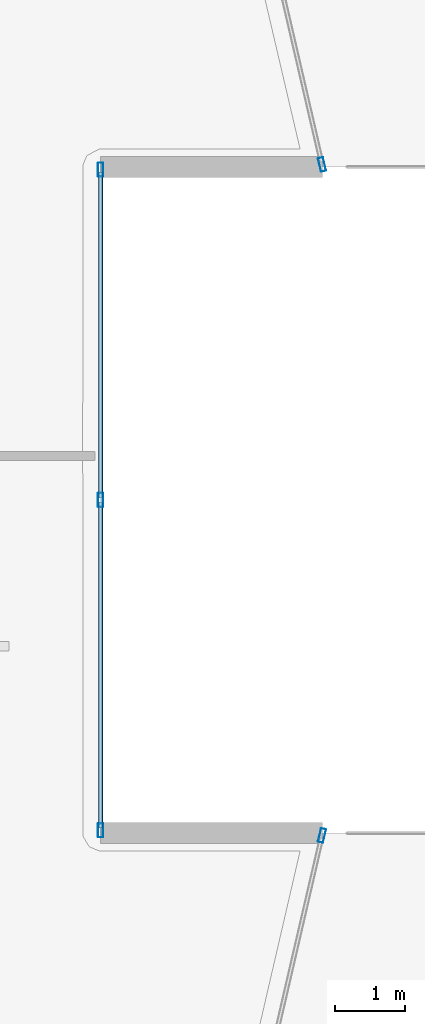
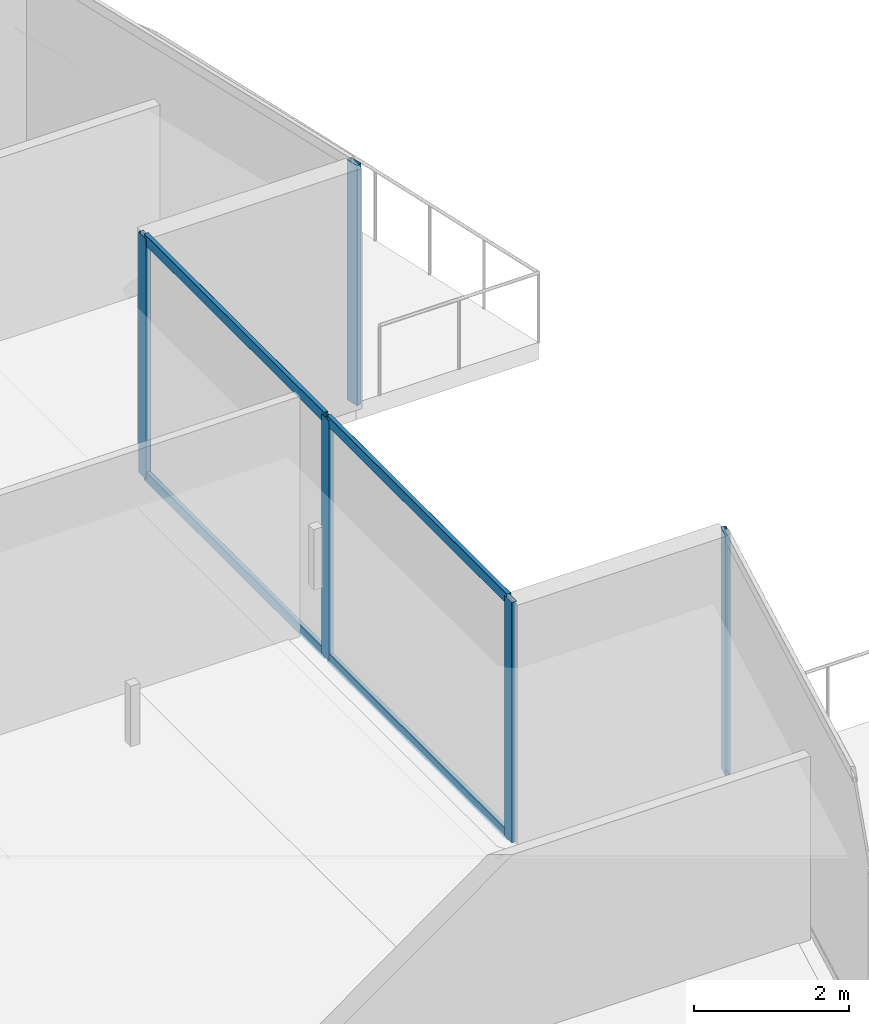
# One storey, part 13 of 38: 9 members, 3 elements without a shape of their own.
"""IFC4 building model written with IfcOpenShell, lengths in metres."""

import ifcopenshell
import ifcopenshell.guid

model = None  # the IFC model being written
_history = None  # IfcOwnerHistory: only IFC2X3 demands one
_inside = {}  # id of a spatial element -> (the spatial element, [elements in it])
_under = {}  # id of a project, library or spatial element -> (it, [spatial elements below it])
_declared = {}  # id of a project -> (the project, [libraries it declares])
_typed = {}  # id of a type object -> (the type object, [elements of that type])
_made_of = {}  # id of a material, layer set ... -> (it, [elements and type objects made of it])


def new_model(schema):
    """Start an empty IFC model of exactly this schema.

    Asked for "IFC4X3", IfcOpenShell would pick the latest addendum, in which some entities
    have other attributes; the version numbers below select the first issue.
    IFC2X3 requires an IfcOwnerHistory on every rooted entity: one is made here for all.
    """
    global model, _history
    if schema == "IFC4X3":
        model = ifcopenshell.file(schema_version=(4, 3, 0, 0))
    else:
        model = ifcopenshell.file(schema=schema)
    _inside.clear()
    _under.clear()
    _declared.clear()
    _typed.clear()
    _made_of.clear()
    _history = None
    if model.schema == "IFC2X3":
        org = make("IfcOrganization", Name="unknown")
        user = make(
            "IfcPersonAndOrganization",
            ThePerson=make("IfcPerson", FamilyName="unknown"),
            TheOrganization=org,
        )
        app = make(
            "IfcApplication",
            ApplicationDeveloper=org,
            Version="unknown",
            ApplicationFullName="unknown",
            ApplicationIdentifier="unknown",
        )
        _history = make(
            "IfcOwnerHistory",
            OwningUser=user,
            OwningApplication=app,
            ChangeAction="ADDED",
            CreationDate=0,
        )
    return model


def make(cls, **values):
    """One entity of the class cls with the attributes given. An attribute that is None is left unset."""
    return model.create_entity(
        cls, **{name: value for name, value in values.items() if value is not None}
    )


def rooted(cls, **values):
    """An entity with a GlobalId (a new one), such as an element, a storey or a relation."""
    return make(cls, GlobalId=ifcopenshell.guid.new(), OwnerHistory=_history, **values)


def si_unit(unit_type, name, prefix=None):
    """IfcSIUnit, for example si_unit("LENGTHUNIT", "METRE", prefix="MILLI")."""
    return make("IfcSIUnit", UnitType=unit_type, Prefix=prefix, Name=name)


def assignment(units):
    """IfcUnitAssignment: the units of a project."""
    return None if units is None else make("IfcUnitAssignment", Units=units)


def point(xyz):
    """IfcCartesianPoint."""
    return None if xyz is None else make("IfcCartesianPoint", Coordinates=xyz)


def direction(xyz):
    """IfcDirection."""
    return None if xyz is None else make("IfcDirection", DirectionRatios=xyz)


def frame(location, z_axis=None, x_axis=None):
    """IfcAxis2Placement3D, a coordinate frame: its origin and axes. An axis left out is left unset."""
    return make(
        "IfcAxis2Placement3D",
        Location=point(location),
        Axis=direction(z_axis),
        RefDirection=direction(x_axis),
    )


def frame_2d(location, x_axis=None):
    """IfcAxis2Placement2D, a coordinate frame in the plane: its origin and x axis."""
    return make(
        "IfcAxis2Placement2D", Location=point(location), RefDirection=direction(x_axis)
    )


def origin():
    """The frame at (0, 0, 0) with its axes left unset."""
    return frame((0.0, 0.0, 0.0))


def origin_2d():
    """The frame at (0, 0) in the plane with its x axis left unset."""
    return frame_2d((0.0, 0.0))


def place(relative_to, where):
    """IfcLocalPlacement: puts the frame where relative to a parent placement (None: the world)."""
    return make(
        "IfcLocalPlacement", PlacementRelTo=relative_to, RelativePlacement=where
    )


def context(
    kind, dimensions, precision=None, world=None, true_north=None, identifier=None
):
    """IfcGeometricRepresentationContext, for example the 3D "Model" context."""
    return make(
        "IfcGeometricRepresentationContext",
        ContextIdentifier=identifier,
        ContextType=kind,
        CoordinateSpaceDimension=dimensions,
        Precision=precision,
        WorldCoordinateSystem=world,
        TrueNorth=true_north,
    )


def subcontext(parent, identifier, kind, view, scale=None):
    """IfcGeometricRepresentationSubContext, for example "Body" below "Model"."""
    return make(
        "IfcGeometricRepresentationSubContext",
        ContextIdentifier=identifier,
        ContextType=kind,
        ParentContext=parent,
        TargetScale=scale,
        TargetView=view,
    )


def project(units=None, contexts=None):
    """IfcProject with its units and contexts."""
    return rooted(
        "IfcProject",
        Name="project",
        RepresentationContexts=contexts,
        UnitsInContext=assignment(units),
    )


def spatial(cls, under=None, at=None, **own):
    """A site, building, storey or space (cls), placed at a placement, below another one or the project."""
    s = rooted(cls, ObjectPlacement=at, **own)
    if under is not None:
        _under.setdefault(under.id(), (under, []))[1].append(s)
    return s


def profile(cls, at=None, kind="AREA", **sizes):
    """A parametric profile (cls). Its sizes go by their IFC names, for example OverallWidth=200.0."""
    return make(cls, ProfileType=kind, Position=at, **sizes)


def hollow_rectangle(**sizes):
    """IfcRectangleHollowProfileDef."""
    return profile("IfcRectangleHollowProfileDef", **sizes)


def extrude(swept, where, along, depth):
    """IfcExtrudedAreaSolid: the profile swept, set in the frame where, extruded along a direction by depth."""
    return make(
        "IfcExtrudedAreaSolid",
        SweptArea=swept,
        Position=where,
        ExtrudedDirection=direction(along),
        Depth=depth,
    )


def shape(context_of_items, identifier, shape_type, items):
    """IfcShapeRepresentation: the items that make up one representation, for example the "Body"."""
    return make(
        "IfcShapeRepresentation",
        ContextOfItems=context_of_items,
        RepresentationIdentifier=identifier,
        RepresentationType=shape_type,
        Items=items,
    )


def material(Name=None, Category=None):
    """IfcMaterial."""
    return make("IfcMaterial", Name=Name, Category=Category)


def layer(
    of_material, thickness, ventilated=None, Name=None, Category=None, Priority=None
):
    """IfcMaterialLayer: one layer of a wall or slab, of a material (None: an air gap)."""
    return make(
        "IfcMaterialLayer",
        Material=of_material,
        LayerThickness=thickness,
        IsVentilated=ventilated,
        Name=Name,
        Category=Category,
        Priority=Priority,
    )


def layer_set(layers, Name=None):
    """IfcMaterialLayerSet."""
    return make("IfcMaterialLayerSet", MaterialLayers=layers, LayerSetName=Name)


def material_profile(
    of_material, cross_section, Name=None, Category=None, Priority=None
):
    """IfcMaterialProfile: a cross section and its material."""
    return make(
        "IfcMaterialProfile",
        Name=Name,
        Material=of_material,
        Profile=cross_section,
        Priority=Priority,
        Category=Category,
    )


def profile_set(profiles, Name=None, composite=None):
    """IfcMaterialProfileSet."""
    return make(
        "IfcMaterialProfileSet",
        Name=Name,
        MaterialProfiles=profiles,
        CompositeProfile=composite,
    )


def made_of(thing, what):
    """Note that an element or type object is made of a material, layer set ...; save() writes the relation."""
    if what is not None:
        _made_of.setdefault(what.id(), (what, []))[1].append(thing)
    return thing


def type_object(cls, material=None, **own):
    """A type object (cls), such as IfcWallType, which elements share."""
    return made_of(rooted(cls, **own), material)


def element(
    cls,
    number,
    at=None,
    inside=None,
    cuts=None,
    type_object=None,
    material=None,
    context=None,
    identifier="Body",
    shape_type=None,
    held_by="IfcProductDefinitionShape",
    body=None,
    shapes=None,
    **own,
):
    """One element of the class cls, such as IfcWall. Its Tag is "e" and its number.

    at: its placement. inside: the storey or other place that contains it. cuts: it is an
    opening in that element (IfcRelVoidsElement). A single representation is given by context,
    identifier, shape_type and body (its items); several are given by shapes. held_by: the class
    of the entity that holds the representations. save() writes the other relations.
    """
    e = rooted(cls, Tag="e%d" % number, ObjectPlacement=at, **own)
    if body is not None:
        shapes = [shape(context, identifier, shape_type, body)]
    if shapes is not None:
        e.Representation = make(held_by, Representations=shapes)
    if inside is not None:
        _inside.setdefault(inside.id(), (inside, []))[1].append(e)
    if cuts is not None:
        rooted(
            "IfcRelVoidsElement", RelatingBuildingElement=cuts, RelatedOpeningElement=e
        )
    if type_object is not None:
        _typed.setdefault(type_object.id(), (type_object, []))[1].append(e)
    return made_of(e, material)


def aggregate(whole, parts):
    """IfcRelAggregates: a whole, such as a stair, and the parts it consists of."""
    return rooted("IfcRelAggregates", RelatingObject=whole, RelatedObjects=parts)


def save(model, path):
    """Write the relations noted so far, then the file.

    IfcRelAggregates (storeys below a building ...), IfcRelContainedInSpatialStructure (elements
    in a storey), IfcRelDefinesByType, IfcRelAssociatesMaterial and IfcRelDeclares: one each for
    every whole, place, type object, material and project.
    """
    for whole, parts in _under.values():
        aggregate(whole, parts)
    for where, things in _inside.values():
        rooted(
            "IfcRelContainedInSpatialStructure",
            RelatedElements=things,
            RelatingStructure=where,
        )
    for kind, things in _typed.values():
        rooted("IfcRelDefinesByType", RelatedObjects=things, RelatingType=kind)
    for what, things in _made_of.values():
        rooted("IfcRelAssociatesMaterial", RelatedObjects=things, RelatingMaterial=what)
    for by, libraries in _declared.values():
        rooted("IfcRelDeclares", RelatingContext=by, RelatedDefinitions=libraries)
    model.write(path)


model = new_model("IFC4")

# Units and contexts
model_context = context("Model", 3, precision=1e-05, world=origin(), true_north=direction((0.0, 1.0)))
body_context = subcontext(model_context, "Body", "Model", "MODEL_VIEW")
ifc_project = project(units=[si_unit("LENGTHUNIT", "METRE"), si_unit("AREAUNIT", "SQUARE_METRE"), si_unit("VOLUMEUNIT", "CUBIC_METRE"), si_unit("PLANEANGLEUNIT", "RADIAN"), si_unit("MASSUNIT", "GRAM", prefix="KILO")], contexts=[model_context])

# Site, building, storey
site_placement = place(None, origin())
site = spatial("IfcSite", under=ifc_project, at=site_placement, CompositionType="ELEMENT")
building_placement = place(site_placement, origin())
building = spatial("IfcBuilding", under=site, at=building_placement, Name="Qorvath Tower", CompositionType="ELEMENT")
storey_placement = place(building_placement, frame((0.0, 0.0, 158.39990234375)))
storey = spatial("IfcBuildingStorey", under=building, at=storey_placement, Name="L36", CompositionType="ELEMENT", Elevation=158.39990234375)

# Curtain wall, member
ifc_material_1 = material(Name="Anodised aluminium and triple low-E glass", Category="aluminium")
ifc_layer = layer(ifc_material_1, 0.179931640625)
ifc_layer_set = layer_set([ifc_layer], Name="CW-SYS-5")
curtain_wall_type = type_object("IfcCurtainWallType", Name="CW-SYS-5", PredefinedType="NOTDEFINED", material=ifc_layer_set)
curtain_wall_1_placement = place(storey_placement, origin())
curtain_wall_1 = element("IfcCurtainWall", 1, at=curtain_wall_1_placement, inside=storey, type_object=curtain_wall_type, Name="Curtain Wall CW-5 CW-T-L36-7.1", PredefinedType="NOTDEFINED")
ifc_material_2 = material(Name="Anodised aluminium 6063-T6", Category="aluminium")
ifc_material_profile_1 = material_profile(ifc_material_2, hollow_rectangle(XDim=0.074951171875, YDim=0.199951171875, WallThickness=0.00390625, InnerFilletRadius=0.00390625, OuterFilletRadius=0.008056640625, at=origin_2d()), Name="CWM 200x75")
ifc_profile_set_1 = profile_set([ifc_material_profile_1], Name="Anodised aluminium 6063-T6")
member_type_1 = type_object("IfcMemberType", Name="CWM-200", PredefinedType="MULLION", material=ifc_profile_set_1)
member_1_placement = place(storey_placement, frame((3.237548828125, -4.78857421875, 0.0), z_axis=(0.0, 0.0, 1.0), x_axis=(-0.974183272316, 0.225758614319, 0.0)))
member_1 = element("IfcMember", 2, at=member_1_placement, type_object=member_type_1, Name="CW-5 mullion 2", PredefinedType="MULLION", context=body_context, shape_type="SweptSolid", body=[
    extrude(hollow_rectangle(XDim=0.074951171875, YDim=0.199951171875, WallThickness=0.00390625, InnerFilletRadius=0.00390625, OuterFilletRadius=0.008056640625, at=origin_2d()), origin(), (0.0, 0.0, 1.0), 3.780029296875),
])
aggregate(curtain_wall_1, [member_1])

# Curtain wall, members
curtain_wall_2_placement = place(storey_placement, origin())
curtain_wall_2 = element("IfcCurtainWall", 3, at=curtain_wall_2_placement, inside=storey, type_object=curtain_wall_type, Name="Curtain Wall CW-5 CW-T-L36-9.1", PredefinedType="NOTDEFINED")
member_2_placement = place(storey_placement, frame((0.077880859375, -4.714599609375, 0.0), z_axis=(0.0, 0.0, 1.0), x_axis=(-1.0, 0.0, 0.0)))
member_2 = element("IfcMember", 4, at=member_2_placement, type_object=member_type_1, Name="CW-5 mullion 1", PredefinedType="MULLION", context=body_context, shape_type="SweptSolid", body=[
    extrude(hollow_rectangle(XDim=0.074951171875, YDim=0.199951171875, WallThickness=0.00390625, InnerFilletRadius=0.00390625, OuterFilletRadius=0.008056640625, at=origin_2d()), origin(), (0.0, 0.0, 1.0), 3.780029296875),
])
member_3_placement = place(storey_placement, frame((0.077880859375, 0.0, 0.0), z_axis=(0.0, 0.0, 1.0), x_axis=(-1.0, 0.0, 0.0)))
member_3 = element("IfcMember", 5, at=member_3_placement, type_object=member_type_1, Name="CW-5 mullion 2", PredefinedType="MULLION", context=body_context, shape_type="SweptSolid", body=[
    extrude(hollow_rectangle(XDim=0.074951171875, YDim=0.199951171875, WallThickness=0.00390625, InnerFilletRadius=0.00390625, OuterFilletRadius=0.008056640625, at=origin_2d()), origin(), (0.0, 0.0, 1.0), 3.780029296875),
])
member_4_placement = place(storey_placement, frame((0.077880859375, 4.714599609375, 0.0), z_axis=(0.0, 0.0, 1.0), x_axis=(-1.0, 0.0, 0.0)))
member_4 = element("IfcMember", 6, at=member_4_placement, type_object=member_type_1, Name="CW-5 mullion 3", PredefinedType="MULLION", context=body_context, shape_type="SweptSolid", body=[
    extrude(hollow_rectangle(XDim=0.074951171875, YDim=0.199951171875, WallThickness=0.00390625, InnerFilletRadius=0.00390625, OuterFilletRadius=0.008056640625, at=origin_2d()), origin(), (0.0, 0.0, 1.0), 3.780029296875),
])

# Curtain wall, member
curtain_wall_3_placement = place(storey_placement, origin())
curtain_wall_3 = element("IfcCurtainWall", 7, at=curtain_wall_3_placement, inside=storey, type_object=curtain_wall_type, Name="Curtain Wall CW-5 CW-T-L36-11.1", PredefinedType="NOTDEFINED")
member_5_placement = place(storey_placement, frame((3.237548828125, 4.78857421875, 0.0), z_axis=(0.0, 0.0, 1.0), x_axis=(-0.974183272316, -0.225758614319, 0.0)))
member_5 = element("IfcMember", 8, at=member_5_placement, type_object=member_type_1, Name="CW-5 mullion 1", PredefinedType="MULLION", context=body_context, shape_type="SweptSolid", body=[
    extrude(hollow_rectangle(XDim=0.074951171875, YDim=0.199951171875, WallThickness=0.00390625, InnerFilletRadius=0.00390625, OuterFilletRadius=0.008056640625, at=origin_2d()), origin(), (0.0, 0.0, 1.0), 3.780029296875),
])
aggregate(curtain_wall_3, [member_5])

# Member
ifc_material_3 = material(Name="Anodised aluminium 6063-T6", Category="aluminium")
ifc_material_profile_2 = material_profile(ifc_material_3, hollow_rectangle(XDim=0.06494140625, YDim=0.159912109375, WallThickness=0.00341796875, InnerFilletRadius=0.00341796875, OuterFilletRadius=0.007080078125, at=origin_2d()), Name="CWT 160x65")
ifc_profile_set_2 = profile_set([ifc_material_profile_2], Name="Anodised aluminium 6063-T6")
member_type_2 = type_object("IfcMemberType", Name="CWT-160", PredefinedType="USERDEFINED", material=ifc_profile_set_2)
member_6_placement = place(storey_placement, frame((0.077880859375, -4.677001953125, 0.032470703125), z_axis=(0.0, 1.0, 0.0), x_axis=(-1.0, 0.0, 0.0)))
member_6 = element("IfcMember", 9, at=member_6_placement, type_object=member_type_2, Name="CW-5 transom 1.1", ObjectType="TRANSOM", PredefinedType="USERDEFINED", context=body_context, shape_type="SweptSolid", body=[
    extrude(hollow_rectangle(XDim=0.06494140625, YDim=0.159912109375, WallThickness=0.00341796875, InnerFilletRadius=0.00341796875, OuterFilletRadius=0.007080078125, at=origin_2d()), origin(), (0.0, 0.0, 1.0), 4.639404296875),
])

member_7_placement = place(storey_placement, frame((0.077880859375, -4.677001953125, 3.74755859375), z_axis=(0.0, 1.0, 0.0), x_axis=(-1.0, 0.0, 0.0)))
member_7 = element("IfcMember", 10, at=member_7_placement, type_object=member_type_2, Name="CW-5 transom 1.2", ObjectType="TRANSOM", PredefinedType="USERDEFINED", context=body_context, shape_type="SweptSolid", body=[
    extrude(hollow_rectangle(XDim=0.06494140625, YDim=0.159912109375, WallThickness=0.00341796875, InnerFilletRadius=0.00341796875, OuterFilletRadius=0.007080078125, at=origin_2d()), origin(), (0.0, 0.0, 1.0), 4.639404296875),
])

member_8_placement = place(storey_placement, frame((0.077880859375, 0.03759765625, 0.032470703125), z_axis=(0.0, 1.0, 0.0), x_axis=(-1.0, 0.0, 0.0)))
member_8 = element("IfcMember", 11, at=member_8_placement, type_object=member_type_2, Name="CW-5 transom 2.1", ObjectType="TRANSOM", PredefinedType="USERDEFINED", context=body_context, shape_type="SweptSolid", body=[
    extrude(hollow_rectangle(XDim=0.06494140625, YDim=0.159912109375, WallThickness=0.00341796875, InnerFilletRadius=0.00341796875, OuterFilletRadius=0.007080078125, at=origin_2d()), origin(), (0.0, 0.0, 1.0), 4.639404296875),
])

member_9_placement = place(storey_placement, frame((0.077880859375, 0.03759765625, 3.74755859375), z_axis=(0.0, 1.0, 0.0), x_axis=(-1.0, 0.0, 0.0)))
member_9 = element("IfcMember", 12, at=member_9_placement, type_object=member_type_2, Name="CW-5 transom 2.2", ObjectType="TRANSOM", PredefinedType="USERDEFINED", context=body_context, shape_type="SweptSolid", body=[
    extrude(hollow_rectangle(XDim=0.06494140625, YDim=0.159912109375, WallThickness=0.00341796875, InnerFilletRadius=0.00341796875, OuterFilletRadius=0.007080078125, at=origin_2d()), origin(), (0.0, 0.0, 1.0), 4.639404296875),
])

aggregate(curtain_wall_2, [member_2, member_3, member_4, member_6, member_7, member_8, member_9])

save(model, "model.ifc")
